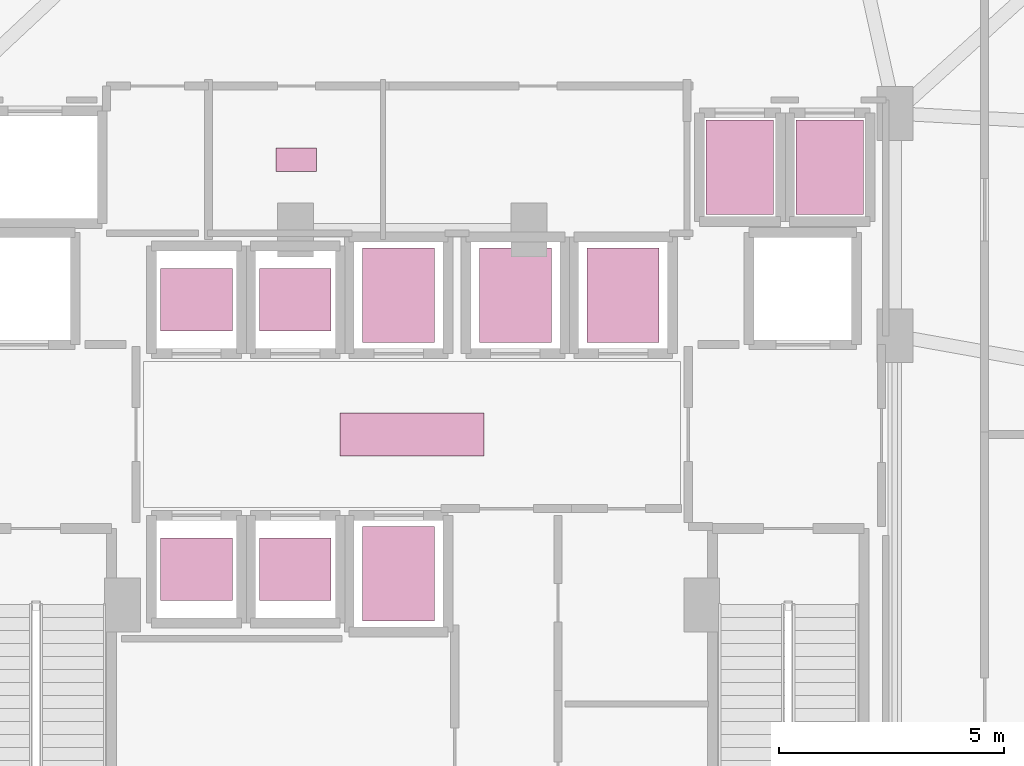
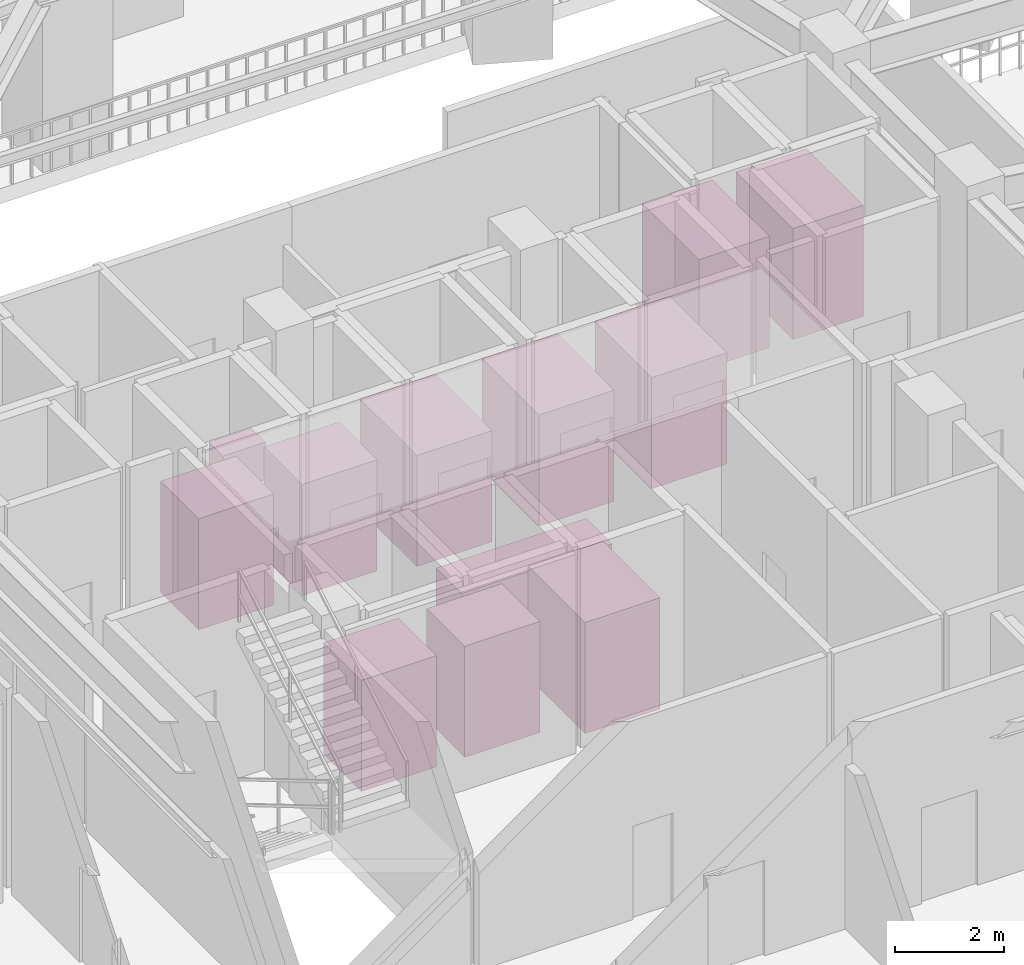
# One storey, part 36 of 36: 10 transport elements, 2 furnishings.
"""IFC4 building model written with IfcOpenShell, lengths in metres."""

from ifc_helpers import new_model, si_unit, direction, frame, origin, origin_2d, place, context, subcontext, project, spatial, rectangle, extrude, material, type_object, element, save


model = new_model("IFC4")

# Units and contexts
model_context = context("Model", 3, precision=1e-05, world=origin(), true_north=direction((0.0, 1.0)))
body_context = subcontext(model_context, "Body", "Model", "MODEL_VIEW")
ifc_project = project(units=[si_unit("LENGTHUNIT", "METRE"), si_unit("AREAUNIT", "SQUARE_METRE"), si_unit("VOLUMEUNIT", "CUBIC_METRE"), si_unit("PLANEANGLEUNIT", "RADIAN"), si_unit("MASSUNIT", "GRAM", prefix="KILO")], contexts=[model_context])

# Site, building, storey
site_placement = place(None, origin())
site = spatial("IfcSite", under=ifc_project, at=site_placement, CompositionType="ELEMENT")
building_placement = place(site_placement, origin())
building = spatial("IfcBuilding", under=site, at=building_placement, Name="Vorneva Point Tower", CompositionType="ELEMENT")
storey_placement = place(building_placement, origin())
storey = spatial("IfcBuildingStorey", under=building, at=storey_placement, Name="L00", CompositionType="ELEMENT", Elevation=0.0)

# Furnishings
ifc_material_1 = material(Name="Engineered oak fire-rated door leaf", Category="wood")
furniture_type_1 = type_object("IfcFurnitureType", Name="FUR-DSK-3200", AssemblyPlace="NOTDEFINED", PredefinedType="NOTDEFINED", material=ifc_material_1)
furnishing_1_placement = place(storey_placement, frame((38.0, 26.0, -0.005126953125), z_axis=(0.0, 0.0, 1.0), x_axis=(1.0, 0.0, 0.0)))
element("IfcFurnishingElement", 1, at=furnishing_1_placement, inside=storey, type_object=furniture_type_1, Name="L00 Reception and Concierge Desk", ObjectType="L00 Reception and Concierge Desk", context=body_context, shape_type="SweptSolid", body=[
    extrude(rectangle(XDim=3.199951171875, YDim=0.949951171875, at=origin_2d()), origin(), (0.0, 0.0, 1.0), 1.10009765625),
])
ifc_material_2 = material(Name="Vitreous china and granite top", Category="masonry")
furniture_type_2 = type_object("IfcFurnitureType", Name="FUR-VAN-900", AssemblyPlace="NOTDEFINED", PredefinedType="NOTDEFINED", material=ifc_material_2)
furnishing_2_placement = place(storey_placement, frame((35.425048828125, 32.1201171875, -0.005126953125), z_axis=(0.0, 0.0, 1.0), x_axis=(1.0, 0.0, 0.0)))
element("IfcFurnishingElement", 2, at=furnishing_2_placement, inside=storey, type_object=furniture_type_2, Name="L00 Accessible WC Vanity Unit", ObjectType="L00 Accessible WC Vanity Unit", context=body_context, shape_type="SweptSolid", body=[
    extrude(rectangle(XDim=0.89990234375, YDim=0.52001953125, at=origin_2d()), origin(), (0.0, 0.0, 1.0), 0.85009765625),
])

# Transport elements
ifc_material_3 = material(Name="Brushed stainless steel S304", Category="steel")
transport_element_type_1 = type_object("IfcTransportElementType", Name="LFT-PASS-1275", PredefinedType="ELEVATOR", material=ifc_material_3)
for number, where, z_axis, x_axis, name in (
    (3, (33.199951171875, 29.0, -0.0048828125), (0.0, 0.0, 1.0), (1.0, 0.0, 0.0), "Passenger Lift PL1 (Hotel Bank)"),
    (4, (35.39990234375, 29.0, -0.0048828125), (0.0, 0.0, 1.0), (1.0, 0.0, 0.0), "Passenger Lift PL2 (Hotel Bank)"),
    (5, (33.199951171875, 23.0, -0.0048828125), (0.0, 0.0, 1.0), (1.0, 0.0, 0.0), "Passenger Lift PL4 (Mid Residence Bank)"),
    (6, (35.39990234375, 23.0, -0.0048828125), (0.0, 0.0, 1.0), (1.0, 0.0, 0.0), "Passenger Lift PL5 (Mid Residence Bank)"),
):
    element("IfcTransportElement", number, at=place(storey_placement, frame(where, z_axis=z_axis, x_axis=x_axis)), inside=storey, type_object=transport_element_type_1, Name=name, PredefinedType="ELEVATOR", context=body_context, shape_type="SweptSolid", body=[
        extrude(rectangle(XDim=1.60009765625, YDim=1.39990234375, at=origin_2d()), origin(), (0.0, 0.0, 1.0), 2.5),
    ])
transport_element_type_2 = type_object("IfcTransportElementType", Name="LFT-STRC-1600", PredefinedType="ELEVATOR", material=ifc_material_3)
for number, where, z_axis, x_axis, name in (
    (7, (37.699951171875, 29.10009765625, -0.0048828125), (0.0, 0.0, 1.0), (1.0, 0.0, 0.0), "Passenger Lift PL3 (Hotel Stretcher)"),
    (8, (37.699951171875, 22.89990234375, -0.0048828125), (0.0, 0.0, 1.0), (1.0, 0.0, 0.0), "Passenger Lift PL6 (Mid Residence Stretcher)"),
    (9, (40.300048828125, 29.10009765625, -0.0048828125), (0.0, 0.0, 1.0), (1.0, 0.0, 0.0), "Passenger Lift PL7 (High Residence Bank)"),
    (10, (42.699951171875, 29.10009765625, -0.0048828125), (0.0, 0.0, 1.0), (1.0, 0.0, 0.0), "Passenger Lift PL8 (High Residence Bank)"),
):
    element("IfcTransportElement", number, at=place(storey_placement, frame(where, z_axis=z_axis, x_axis=x_axis)), inside=storey, type_object=transport_element_type_2, Name=name, PredefinedType="ELEVATOR", context=body_context, shape_type="SweptSolid", body=[
        extrude(rectangle(XDim=1.60009765625, YDim=2.10009765625, at=origin_2d()), origin(), (0.0, 0.0, 1.0), 2.5),
    ])
for number, where, z_axis, x_axis, name in (
    (11, (45.300048828125, 31.949951171875, -0.0048828125), (0.0, 0.0, 1.0), (1.0, 0.0, 0.0), "Observation Express Lift EX1"),
    (12, (47.300048828125, 31.949951171875, -0.0048828125), (0.0, 0.0, 1.0), (1.0, 0.0, 0.0), "Observation Express Lift EX2"),
):
    element("IfcTransportElement", number, at=place(storey_placement, frame(where, z_axis=z_axis, x_axis=x_axis)), inside=storey, type_object=transport_element_type_2, Name=name, PredefinedType="ELEVATOR", context=body_context, shape_type="SweptSolid", body=[
        extrude(rectangle(XDim=1.5, YDim=2.10009765625, at=origin_2d()), origin(), (0.0, 0.0, 1.0), 2.5),
    ])

save(model, "model.ifc")
